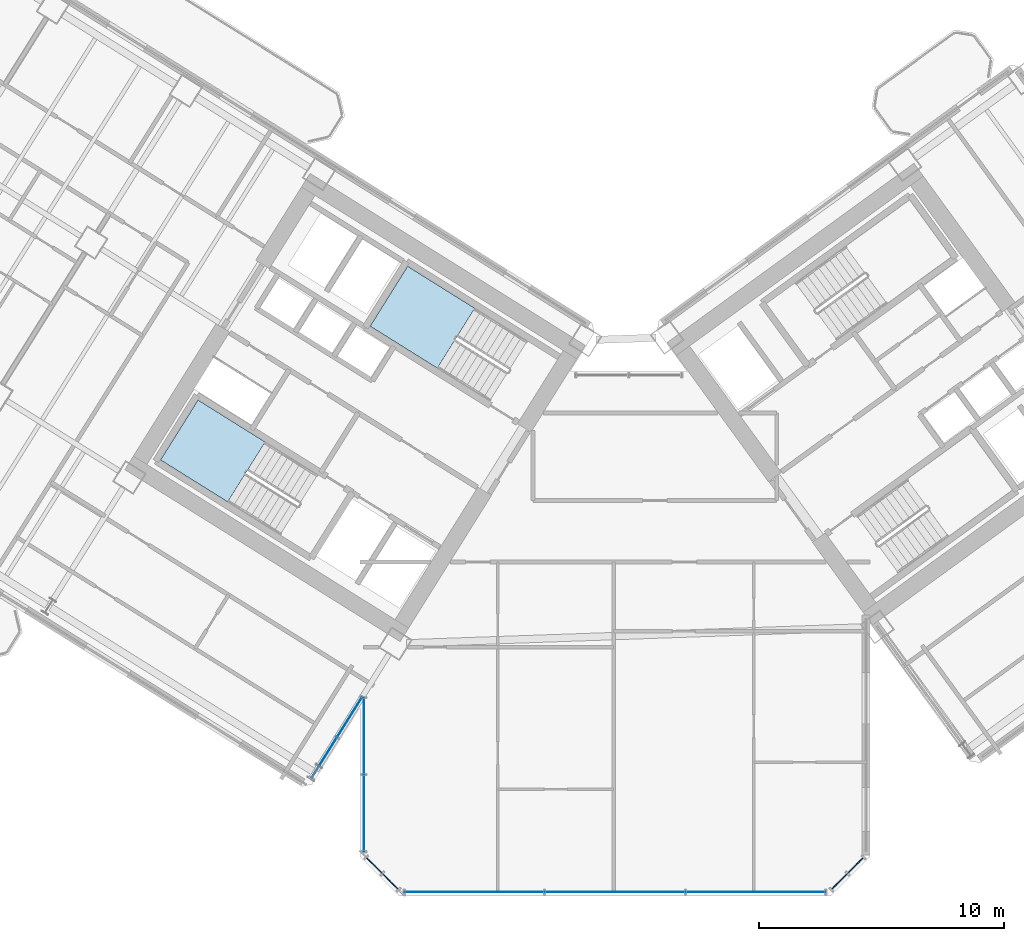
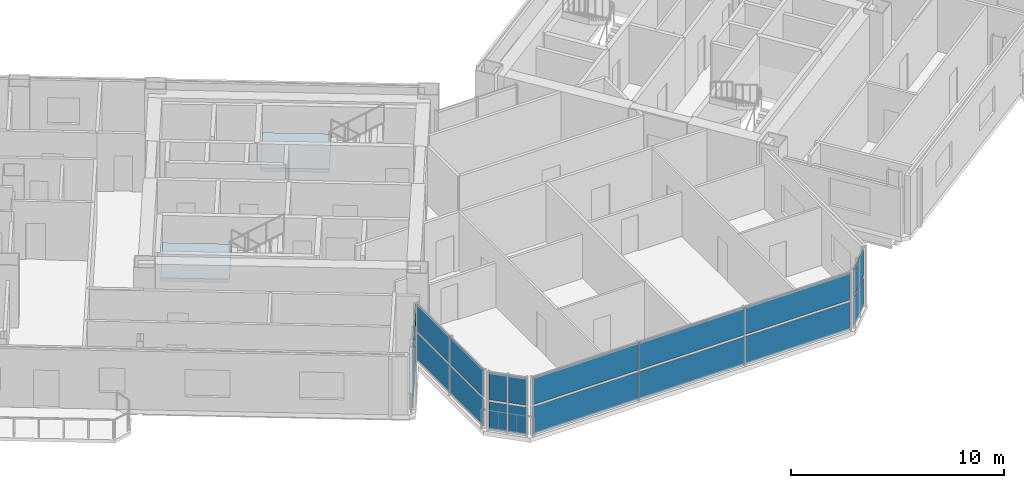
# One storey, part 13 of 28: 22 plates, 2 slabs, 7 elements without a shape of their own.
"""IFC4 building model written with IfcOpenShell, lengths in metres."""

from ifc_helpers import new_model, si_unit, direction, frame, origin, origin_2d, place, context, subcontext, project, spatial, polyline, rectangle, outline, extrude, source, transform, mapped, material, layer, layer_set, type_object, element, aggregate, save


model = new_model("IFC4")

# Units and contexts
model_context = context("Model", 3, precision=1e-05, world=origin(), true_north=direction((0.0, 1.0)))
body_context = subcontext(model_context, "Body", "Model", "MODEL_VIEW")
ifc_project = project(units=[si_unit("LENGTHUNIT", "METRE"), si_unit("AREAUNIT", "SQUARE_METRE"), si_unit("VOLUMEUNIT", "CUBIC_METRE"), si_unit("PLANEANGLEUNIT", "RADIAN"), si_unit("MASSUNIT", "GRAM", prefix="KILO")], contexts=[model_context])

# Site, building, storey
site_placement = place(None, origin())
site = spatial("IfcSite", under=ifc_project, at=site_placement, CompositionType="ELEMENT")
building_placement = place(site_placement, origin())
building = spatial("IfcBuilding", under=site, at=building_placement, Name="Tlacorven Tower", CompositionType="ELEMENT")
storey_placement = place(building_placement, frame((0.0, 0.0, 27.60009765625)))
storey = spatial("IfcBuildingStorey", under=building, at=storey_placement, Name="L06", CompositionType="ELEMENT", Elevation=27.60009765625)

# Stair, slab
ifc_material_1 = material(Name="Concrete C40/50", Category="concrete")
stair_type = type_object("IfcStairType", Name="ST-CORE-DLG", PredefinedType="HALF_TURN_STAIR", material=ifc_material_1)
stair_1_placement = place(storey_placement, origin())
stair_1 = element("IfcStair", 1, at=stair_1_placement, inside=storey, type_object=stair_type, Name="L06 Protected Exit Stair West 1", PredefinedType="HALF_TURN_STAIR")
ifc_layer_1 = layer(ifc_material_1, 0.199951171875)
ifc_layer_set_1 = layer_set([ifc_layer_1], Name="Concrete C40/50")
slab_type = type_object("IfcSlabType", Name="SL-LND-200", PredefinedType="LANDING", material=ifc_layer_set_1)
slab_1_placement = place(storey_placement, frame((0.0, 0.0, 1.599853515625)))
slab_1 = element("IfcSlab", 2, at=slab_1_placement, type_object=slab_type, Name="ST-W1 landing 1", PredefinedType="LANDING", context=body_context, shape_type="SweptSolid", body=[
    extrude(outline(polyline([(27.728515625, 20.315185546875), (24.9892578125, 22.02685546875), (23.463134765625, 19.58447265625), (26.2021484375, 17.872802734375), (27.728515625, 20.315185546875)])), origin(), (0.0, 0.0, 1.0), 0.199951171875),
])
aggregate(stair_1, [slab_1])

stair_2_placement = place(storey_placement, origin())
stair_2 = element("IfcStair", 3, at=stair_2_placement, inside=storey, type_object=stair_type, Name="L06 Protected Exit Stair West 2", PredefinedType="HALF_TURN_STAIR")
slab_2_placement = place(storey_placement, frame((0.0, 0.0, 1.599853515625)))
slab_2 = element("IfcSlab", 4, at=slab_2_placement, type_object=slab_type, Name="ST-W2 landing 1", PredefinedType="LANDING", context=body_context, shape_type="SweptSolid", body=[
    extrude(outline(polyline([(36.280029296875, 25.772705078125), (33.540771484375, 27.484375), (32.0146484375, 25.0419921875), (34.75390625, 23.33056640625), (36.280029296875, 25.772705078125)])), origin(), (0.0, 0.0, 1.0), 0.199951171875),
])
aggregate(stair_2, [slab_2])

# Curtain wall, plates
ifc_material_2 = material(Name="Dark solar low-E double glazing in aluminium frame", Category="aluminium")
curtain_wall_type = type_object("IfcCurtainWallType", Name="CW-TWR-LOW", PredefinedType="USERDEFINED", material=ifc_material_2)
curtain_wall_1_placement = place(storey_placement, origin())
curtain_wall_1 = element("IfcCurtainWall", 5, at=curtain_wall_1_placement, inside=storey, type_object=curtain_wall_type, Name="L06 CW-TWR-LOW Curtain Wall 27", ObjectType="UNITISED CURTAIN WALL", PredefinedType="USERDEFINED")
ifc_material_3 = material(Name="Dark solar double low-E glazing", Category="glass")
ifc_layer_2 = layer(ifc_material_3, 0.031982421875)
ifc_layer_set_2 = layer_set([ifc_layer_2], Name="Dark solar double low-E glazing")
plate_type = type_object("IfcPlateType", Name="CWP-02", PredefinedType="CURTAIN_PANEL", material=ifc_layer_set_2)
shared_shape_1 = source(origin(), body_context, "Body", "SweptSolid", [
    extrude(rectangle(XDim=0.878173828125, YDim=0.031982421875, at=origin_2d()), origin(), (0.0, 0.0, 1.0), 1.552978515625),
])
plate_1_placement = place(storey_placement, frame((51.815673828125, 3.0419921875, 0.06103515625), z_axis=(0.0, 0.0, 1.0), x_axis=(-0.707106781187, -0.707106781187, 0.0)))
plate_1 = element("IfcPlate", 6, at=plate_1_placement, type_object=plate_type, Name="CW-L06-027 Glazing Panel 1", PredefinedType="CURTAIN_PANEL", context=body_context, shape_type="MappedRepresentation", body=[
    mapped(shared_shape_1, transform((0.0, 0.0, 0.0), scale=1.0)),
])
plate_2_placement = place(storey_placement, frame((51.815673828125, 3.0419921875, 1.73583984375), z_axis=(0.0, 0.0, 1.0), x_axis=(-0.707106781187, -0.707106781187, 0.0)))
plate_2 = element("IfcPlate", 7, at=plate_2_placement, type_object=plate_type, Name="CW-L06-027 Glazing Panel 2", PredefinedType="CURTAIN_PANEL", context=body_context, shape_type="MappedRepresentation", body=[
    mapped(shared_shape_1, transform((0.0, 0.0, 0.0), scale=1.0)),
])
plate_3_placement = place(storey_placement, frame((51.157958984375, 2.38427734375, 0.06103515625), z_axis=(0.0, 0.0, 1.0), x_axis=(-0.707106781187, -0.707106781187, 0.0)))
plate_3 = element("IfcPlate", 8, at=plate_3_placement, type_object=plate_type, Name="CW-L06-027 Glazing Panel 3", PredefinedType="CURTAIN_PANEL", context=body_context, shape_type="MappedRepresentation", body=[
    mapped(shared_shape_1, transform((0.0, 0.0, 0.0), scale=1.0)),
])
plate_4_placement = place(storey_placement, frame((51.157958984375, 2.38427734375, 1.73583984375), z_axis=(0.0, 0.0, 1.0), x_axis=(-0.707106781187, -0.707106781187, 0.0)))
plate_4 = element("IfcPlate", 9, at=plate_4_placement, type_object=plate_type, Name="CW-L06-027 Glazing Panel 4", PredefinedType="CURTAIN_PANEL", context=body_context, shape_type="MappedRepresentation", body=[
    mapped(shared_shape_1, transform((0.0, 0.0, 0.0), scale=1.0)),
])
aggregate(curtain_wall_1, [plate_1, plate_2, plate_3, plate_4])

curtain_wall_2_placement = place(storey_placement, origin())
curtain_wall_2 = element("IfcCurtainWall", 10, at=curtain_wall_2_placement, inside=storey, type_object=curtain_wall_type, Name="L06 CW-TWR-LOW Curtain Wall 29", ObjectType="UNITISED CURTAIN WALL", PredefinedType="USERDEFINED")
plate_5_placement = place(storey_placement, frame((32.842041015625, 2.38427734375, 0.06103515625), z_axis=(0.0, 0.0, 1.0), x_axis=(-0.707106781187, 0.707106781187, 0.0)))
plate_5 = element("IfcPlate", 11, at=plate_5_placement, type_object=plate_type, Name="CW-L06-029 Glazing Panel 1", PredefinedType="CURTAIN_PANEL", context=body_context, shape_type="MappedRepresentation", body=[
    mapped(shared_shape_1, transform((0.0, 0.0, 0.0), scale=1.0)),
])
plate_6_placement = place(storey_placement, frame((32.842041015625, 2.38427734375, 1.73583984375), z_axis=(0.0, 0.0, 1.0), x_axis=(-0.707106781187, 0.707106781187, 0.0)))
plate_6 = element("IfcPlate", 12, at=plate_6_placement, type_object=plate_type, Name="CW-L06-029 Glazing Panel 2", PredefinedType="CURTAIN_PANEL", context=body_context, shape_type="MappedRepresentation", body=[
    mapped(shared_shape_1, transform((0.0, 0.0, 0.0), scale=1.0)),
])
plate_7_placement = place(storey_placement, frame((32.184326171875, 3.0419921875, 0.06103515625), z_axis=(0.0, 0.0, 1.0), x_axis=(-0.707106781187, 0.707106781187, 0.0)))
plate_7 = element("IfcPlate", 13, at=plate_7_placement, type_object=plate_type, Name="CW-L06-029 Glazing Panel 3", PredefinedType="CURTAIN_PANEL", context=body_context, shape_type="MappedRepresentation", body=[
    mapped(shared_shape_1, transform((0.0, 0.0, 0.0), scale=1.0)),
])
plate_8_placement = place(storey_placement, frame((32.184326171875, 3.0419921875, 1.73583984375), z_axis=(0.0, 0.0, 1.0), x_axis=(-0.707106781187, 0.707106781187, 0.0)))
plate_8 = element("IfcPlate", 14, at=plate_8_placement, type_object=plate_type, Name="CW-L06-029 Glazing Panel 4", PredefinedType="CURTAIN_PANEL", context=body_context, shape_type="MappedRepresentation", body=[
    mapped(shared_shape_1, transform((0.0, 0.0, 0.0), scale=1.0)),
])
aggregate(curtain_wall_2, [plate_5, plate_6, plate_7, plate_8])

curtain_wall_3_placement = place(storey_placement, origin())
curtain_wall_3 = element("IfcCurtainWall", 15, at=curtain_wall_3_placement, inside=storey, type_object=curtain_wall_type, Name="L06 CW-TWR-LOW Curtain Wall 28", ObjectType="UNITISED CURTAIN WALL", PredefinedType="USERDEFINED")
shared_shape_2 = source(origin(), body_context, "Body", "SweptSolid", [
    extrude(rectangle(XDim=5.668701171875, YDim=0.031982421875, at=origin_2d()), origin(), (0.0, 0.0, 1.0), 1.552978515625),
])
plate_9_placement = place(storey_placement, frame((47.73828125, 1.9599609375, 0.06103515625), z_axis=(0.0, 0.0, 1.0), x_axis=(-1.0, 0.0, 0.0)))
plate_9 = element("IfcPlate", 16, at=plate_9_placement, type_object=plate_type, Name="CW-L06-028 Glazing Panel 1", PredefinedType="CURTAIN_PANEL", context=body_context, shape_type="MappedRepresentation", body=[
    mapped(shared_shape_2, transform((0.0, 0.0, 0.0), scale=1.0)),
])
plate_10_placement = place(storey_placement, frame((47.73828125, 1.9599609375, 1.73583984375), z_axis=(0.0, 0.0, 1.0), x_axis=(-1.0, 0.0, 0.0)))
plate_10 = element("IfcPlate", 17, at=plate_10_placement, type_object=plate_type, Name="CW-L06-028 Glazing Panel 2", PredefinedType="CURTAIN_PANEL", context=body_context, shape_type="MappedRepresentation", body=[
    mapped(shared_shape_2, transform((0.0, 0.0, 0.0), scale=1.0)),
])
plate_11_placement = place(storey_placement, frame((36.26171875, 1.9599609375, 0.06103515625), z_axis=(0.0, 0.0, 1.0), x_axis=(-1.0, 0.0, 0.0)))
plate_11 = element("IfcPlate", 18, at=plate_11_placement, type_object=plate_type, Name="CW-L06-028 Glazing Panel 5", PredefinedType="CURTAIN_PANEL", context=body_context, shape_type="MappedRepresentation", body=[
    mapped(shared_shape_2, transform((0.0, 0.0, 0.0), scale=1.0)),
])
plate_12_placement = place(storey_placement, frame((36.26171875, 1.9599609375, 1.73583984375), z_axis=(0.0, 0.0, 1.0), x_axis=(-1.0, 0.0, 0.0)))
plate_12 = element("IfcPlate", 19, at=plate_12_placement, type_object=plate_type, Name="CW-L06-028 Glazing Panel 6", PredefinedType="CURTAIN_PANEL", context=body_context, shape_type="MappedRepresentation", body=[
    mapped(shared_shape_2, transform((0.0, 0.0, 0.0), scale=1.0)),
])
shared_shape_3 = source(origin(), body_context, "Body", "SweptSolid", [
    extrude(rectangle(XDim=5.703857421875, YDim=0.031982421875, at=origin_2d()), origin(), (0.0, 0.0, 1.0), 1.552978515625),
])
plate_13_placement = place(storey_placement, frame((42.0, 1.9599609375, 0.06103515625), z_axis=(0.0, 0.0, 1.0), x_axis=(-1.0, 0.0, 0.0)))
plate_13 = element("IfcPlate", 20, at=plate_13_placement, type_object=plate_type, Name="CW-L06-028 Glazing Panel 3", PredefinedType="CURTAIN_PANEL", context=body_context, shape_type="MappedRepresentation", body=[
    mapped(shared_shape_3, transform((0.0, 0.0, 0.0), scale=1.0)),
])
plate_14_placement = place(storey_placement, frame((42.0, 1.9599609375, 1.73583984375), z_axis=(0.0, 0.0, 1.0), x_axis=(-1.0, 0.0, 0.0)))
plate_14 = element("IfcPlate", 21, at=plate_14_placement, type_object=plate_type, Name="CW-L06-028 Glazing Panel 4", PredefinedType="CURTAIN_PANEL", context=body_context, shape_type="MappedRepresentation", body=[
    mapped(shared_shape_3, transform((0.0, 0.0, 0.0), scale=1.0)),
])
aggregate(curtain_wall_3, [plate_9, plate_10, plate_13, plate_14, plate_11, plate_12])

curtain_wall_4_placement = place(storey_placement, origin())
curtain_wall_4 = element("IfcCurtainWall", 22, at=curtain_wall_4_placement, inside=storey, type_object=curtain_wall_type, Name="L06 CW-TWR-LOW Curtain Wall 30", ObjectType="UNITISED CURTAIN WALL", PredefinedType="USERDEFINED")
shared_shape_4 = source(origin(), body_context, "Body", "SweptSolid", [
    extrude(rectangle(XDim=3.09423828125, YDim=0.031982421875, at=origin_2d()), origin(), (0.0, 0.0, 1.0), 1.552978515625),
])
plate_15_placement = place(storey_placement, frame((31.760009765625, 5.17431640625, 0.06103515625), z_axis=(0.0, 0.0, 1.0), x_axis=(0.0, 1.0, 0.0)))
plate_15 = element("IfcPlate", 23, at=plate_15_placement, type_object=plate_type, Name="CW-L06-030 Glazing Panel 1", PredefinedType="CURTAIN_PANEL", context=body_context, shape_type="MappedRepresentation", body=[
    mapped(shared_shape_4, transform((0.0, 0.0, 0.0), scale=1.0)),
])
plate_16_placement = place(storey_placement, frame((31.760009765625, 5.17431640625, 1.73583984375), z_axis=(0.0, 0.0, 1.0), x_axis=(0.0, 1.0, 0.0)))
plate_16 = element("IfcPlate", 24, at=plate_16_placement, type_object=plate_type, Name="CW-L06-030 Glazing Panel 2", PredefinedType="CURTAIN_PANEL", context=body_context, shape_type="MappedRepresentation", body=[
    mapped(shared_shape_4, transform((0.0, 0.0, 0.0), scale=1.0)),
])
plate_17_placement = place(storey_placement, frame((31.760009765625, 8.320556640625, 0.06103515625), z_axis=(0.0, 0.0, 1.0), x_axis=(0.0, 1.0, 0.0)))
plate_17 = element("IfcPlate", 25, at=plate_17_placement, type_object=plate_type, Name="CW-L06-030 Glazing Panel 3", PredefinedType="CURTAIN_PANEL", context=body_context, shape_type="MappedRepresentation", body=[
    mapped(shared_shape_4, transform((0.0, 0.0, 0.0), scale=1.0)),
])
plate_18_placement = place(storey_placement, frame((31.760009765625, 8.320556640625, 1.73583984375), z_axis=(0.0, 0.0, 1.0), x_axis=(0.0, 1.0, 0.0)))
plate_18 = element("IfcPlate", 26, at=plate_18_placement, type_object=plate_type, Name="CW-L06-030 Glazing Panel 4", PredefinedType="CURTAIN_PANEL", context=body_context, shape_type="MappedRepresentation", body=[
    mapped(shared_shape_4, transform((0.0, 0.0, 0.0), scale=1.0)),
])
aggregate(curtain_wall_4, [plate_15, plate_16, plate_17, plate_18])

curtain_wall_5_placement = place(storey_placement, origin())
curtain_wall_5 = element("IfcCurtainWall", 27, at=curtain_wall_5_placement, inside=storey, type_object=curtain_wall_type, Name="L06 CW-TWR-LOW Curtain Wall 31", ObjectType="UNITISED CURTAIN WALL", PredefinedType="USERDEFINED")
shared_shape_5 = source(origin(), body_context, "Body", "SweptSolid", [
    extrude(rectangle(XDim=1.896240234375, YDim=0.031982421875, at=origin_2d()), origin(), (0.0, 0.0, 1.0), 1.552978515625),
])
plate_19_placement = place(storey_placement, frame((31.172119140625, 9.087890625, 0.06103515625), z_axis=(0.0, 0.0, 1.0), x_axis=(-0.529918710919, -0.848048441905, 0.0)))
plate_19 = element("IfcPlate", 28, at=plate_19_placement, type_object=plate_type, Name="CW-L06-031 Glazing Panel 1", PredefinedType="CURTAIN_PANEL", context=body_context, shape_type="MappedRepresentation", body=[
    mapped(shared_shape_5, transform((0.0, 0.0, 0.0), scale=1.0)),
])
plate_20_placement = place(storey_placement, frame((31.172119140625, 9.087890625, 1.73583984375), z_axis=(0.0, 0.0, 1.0), x_axis=(-0.529918710919, -0.848048441905, 0.0)))
plate_20 = element("IfcPlate", 29, at=plate_20_placement, type_object=plate_type, Name="CW-L06-031 Glazing Panel 2", PredefinedType="CURTAIN_PANEL", context=body_context, shape_type="MappedRepresentation", body=[
    mapped(shared_shape_5, transform((0.0, 0.0, 0.0), scale=1.0)),
])
plate_21_placement = place(storey_placement, frame((30.1396484375, 7.435791015625, 0.06103515625), z_axis=(0.0, 0.0, 1.0), x_axis=(-0.529918710919, -0.848048441905, 0.0)))
plate_21 = element("IfcPlate", 30, at=plate_21_placement, type_object=plate_type, Name="CW-L06-031 Glazing Panel 3", PredefinedType="CURTAIN_PANEL", context=body_context, shape_type="MappedRepresentation", body=[
    mapped(shared_shape_5, transform((0.0, 0.0, 0.0), scale=1.0)),
])
plate_22_placement = place(storey_placement, frame((30.1396484375, 7.435791015625, 1.73583984375), z_axis=(0.0, 0.0, 1.0), x_axis=(-0.529918710919, -0.848048441905, 0.0)))
plate_22 = element("IfcPlate", 31, at=plate_22_placement, type_object=plate_type, Name="CW-L06-031 Glazing Panel 4", PredefinedType="CURTAIN_PANEL", context=body_context, shape_type="MappedRepresentation", body=[
    mapped(shared_shape_5, transform((0.0, 0.0, 0.0), scale=1.0)),
])
aggregate(curtain_wall_5, [plate_19, plate_20, plate_21, plate_22])

save(model, "model.ifc")
